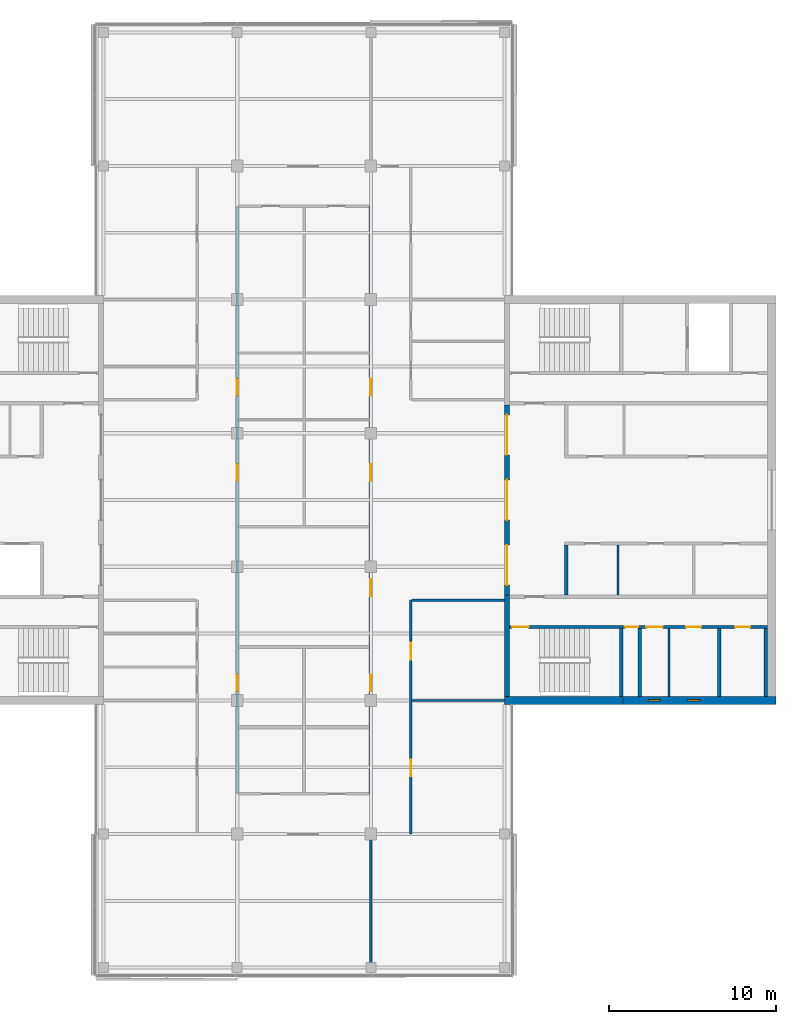
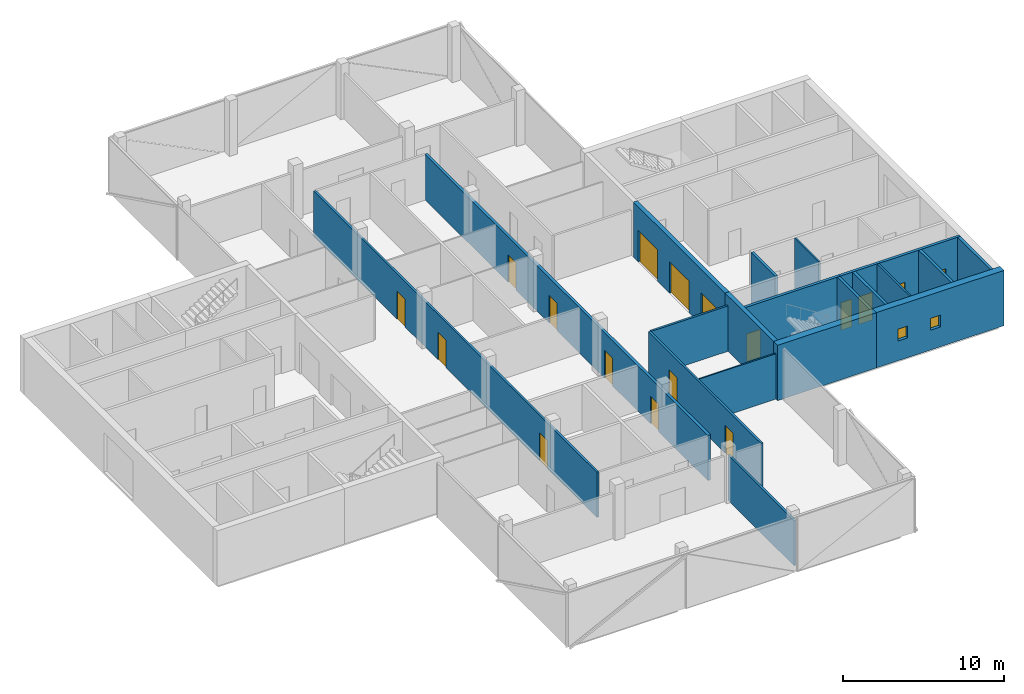
# One storey, part 10 of 16: 19 walls, 17 doors, 2 windows, 19 openings.
"""IFC4 building model written with IfcOpenShell, lengths in metres."""

from ifc_helpers import new_model, si_unit, direction, frame, frame_2d, origin, place, context, subcontext, project, spatial, rectangle, extrude, material, layer, layer_set, constituent, constituent_set, type_object, element, fill, save


model = new_model("IFC4")

# Units and contexts
model_context = context("Model", 3, precision=1e-05, world=origin(), true_north=direction((0.0, 1.0)))
body_context = subcontext(model_context, "Body", "Model", "MODEL_VIEW")
ifc_project = project(units=[si_unit("LENGTHUNIT", "METRE"), si_unit("AREAUNIT", "SQUARE_METRE"), si_unit("VOLUMEUNIT", "CUBIC_METRE"), si_unit("PLANEANGLEUNIT", "RADIAN"), si_unit("MASSUNIT", "GRAM", prefix="KILO")], contexts=[model_context])

# Site, building, storey
site_placement = place(None, origin())
site = spatial("IfcSite", under=ifc_project, at=site_placement, CompositionType="ELEMENT")
building_placement = place(site_placement, origin())
building = spatial("IfcBuilding", under=site, at=building_placement, Name="Crosswind Convention Tower", CompositionType="ELEMENT")
storey_placement = place(building_placement, frame((0.0, 0.0, 274.5)))
storey = spatial("IfcBuildingStorey", under=building, at=storey_placement, Name="L59", CompositionType="ELEMENT", Elevation=274.5)

# Wall
ifc_material_1 = material(Name="Concrete blockwork", Category="masonry")
ifc_layer_1 = layer(ifc_material_1, 0.199951171875)
ifc_layer_set_1 = layer_set([ifc_layer_1], Name="Blockwork partition wall 200")
wall_type_1 = type_object("IfcWallType", Name="Blockwork partition wall 200", PredefinedType="PARTITIONING", material=ifc_layer_set_1)
wall_1_placement = place(storey_placement, frame((145.10009765625, 88.25, 0.0), z_axis=(0.0, 0.0, 1.0), x_axis=(0.0, 1.0, 0.0)))
element("IfcWall", 1, at=wall_1_placement, inside=storey, type_object=wall_type_1, Name="Wall MRSE E L59", PredefinedType="PARTITIONING", context=body_context, shape_type="SweptSolid", body=[
    extrude(rectangle(XDim=4.050048828125, YDim=0.199951171875, at=frame_2d((2.02490234375, 0.0))), origin(), (0.0, 0.0, 1.0), 4.199951171875),
])

# Wall, openings, doors
ifc_layer_2 = layer(ifc_material_1, 0.199951171875)
ifc_layer_set_2 = layer_set([ifc_layer_2], Name="COMPARTMENT WALL 200 BLOCKWORK")
wall_type_2 = type_object("IfcWallType", Name="COMPARTMENT WALL 200 BLOCKWORK", PredefinedType="SOLIDWALL", material=ifc_layer_set_2)
wall_2_placement = place(storey_placement, frame((129.0, 82.39990234375, 0.0), z_axis=(0.0, 0.0, 1.0), x_axis=(0.0, 1.0, 0.0)))
wall_2 = element("IfcWall", 2, at=wall_2_placement, inside=storey, type_object=wall_type_2, Name="Compartment wall WT42", PredefinedType="SOLIDWALL", context=body_context, shape_type="SweptSolid", body=[
    extrude(rectangle(XDim=35.2001953125, YDim=0.199951171875, at=frame_2d((17.60009765625, 0.0))), origin(), (0.0, 0.0, 1.0), 3.44287109375),
])
opening_1_placement = place(wall_2_placement, frame((6.14990234375, 0.0, 0.0)))
opening_1 = element("IfcOpeningElement", 3, at=opening_1_placement, cuts=wall_2, Name="Opening L59-68", PredefinedType="OPENING", context=body_context, shape_type="SweptSolid", body=[
    extrude(rectangle(XDim=1.0, YDim=2.10009765625, at=frame_2d((0.5, 1.050048828125))), frame((0.0, 0.10986328125, 0.0), z_axis=(0.0, -1.0, 0.0), x_axis=(1.0, 0.0, 0.0)), (0.0, 0.0, 1.0), 0.219970703125),
])
opening_2_placement = place(wall_2_placement, frame((11.85009765625, 0.0, 0.0)))
opening_2 = element("IfcOpeningElement", 4, at=opening_2_placement, cuts=wall_2, Name="Opening L59-69", PredefinedType="OPENING", context=body_context, shape_type="SweptSolid", body=[
    extrude(rectangle(XDim=1.0, YDim=2.10009765625, at=frame_2d((0.5, 1.050048828125))), frame((0.0, 0.10986328125, 0.0), z_axis=(0.0, -1.0, 0.0), x_axis=(1.0, 0.0, 0.0)), (0.0, 0.0, 1.0), 0.219970703125),
])
opening_3_placement = place(wall_2_placement, frame((18.75, 0.0, 0.0)))
opening_3 = element("IfcOpeningElement", 5, at=opening_3_placement, cuts=wall_2, Name="Opening L59-71", PredefinedType="OPENING", context=body_context, shape_type="SweptSolid", body=[
    extrude(rectangle(XDim=1.0, YDim=2.10009765625, at=frame_2d((0.5, 1.050048828125))), frame((0.0, 0.10986328125, 0.0), z_axis=(0.0, -1.0, 0.0), x_axis=(1.0, 0.0, 0.0)), (0.0, 0.0, 1.0), 0.219970703125),
])
opening_4_placement = place(wall_2_placement, frame((23.85009765625, 0.0, 0.0)))
opening_4 = element("IfcOpeningElement", 6, at=opening_4_placement, cuts=wall_2, Name="Opening L59-73", PredefinedType="OPENING", context=body_context, shape_type="SweptSolid", body=[
    extrude(rectangle(XDim=1.0, YDim=2.10009765625, at=frame_2d((0.5, 1.050048828125))), frame((0.0, 0.10986328125, 0.0), z_axis=(0.0, -1.0, 0.0), x_axis=(1.0, 0.0, 0.0)), (0.0, 0.0, 1.0), 0.219970703125),
])
ifc_material_2 = material(Name="Steel fire door", Category="steel")
door_type_1 = type_object("IfcDoorType", Name="PLANT ROOM DOOR 1000X2100 FD60", OperationType="NOTDEFINED", PredefinedType="DOOR", material=ifc_material_2)
door_1_placement = place(opening_1_placement, origin())
door_1 = element("IfcDoor", 7, at=door_1_placement, inside=storey, type_object=door_type_1, Name="Door L59-68", ObjectType="D43", OperationType="SINGLE_SWING_LEFT", OverallHeight=2.10009765625, OverallWidth=1.0, PredefinedType="DOOR", context=body_context, shape_type="SweptSolid", body=[
    extrude(rectangle(XDim=1.0, YDim=2.10009765625, at=frame_2d((0.5, 1.050048828125))), frame((0.0, 0.02490234375, 0.0), z_axis=(0.0, -1.0, 0.0), x_axis=(1.0, 0.0, 0.0)), (0.0, 0.0, 1.0), 0.050048828125),
])
fill(opening_1, door_1)
ifc_material_3 = material(Name="Timber fire door", Category="wood")
door_type_2 = type_object("IfcDoorType", Name="TENANCY ENTRANCE DOOR 1000X2100 FD30S", OperationType="NOTDEFINED", PredefinedType="DOOR", material=ifc_material_3)
door_2_placement = place(opening_2_placement, origin())
door_2 = element("IfcDoor", 8, at=door_2_placement, inside=storey, type_object=door_type_2, Name="Door L59-69", ObjectType="D41", OperationType="SINGLE_SWING_RIGHT", OverallHeight=2.10009765625, OverallWidth=1.0, PredefinedType="DOOR", context=body_context, shape_type="SweptSolid", body=[
    extrude(rectangle(XDim=1.0, YDim=2.10009765625, at=frame_2d((0.5, 1.050048828125))), frame((0.0, 0.02490234375, 0.0), z_axis=(0.0, -1.0, 0.0), x_axis=(1.0, 0.0, 0.0)), (0.0, 0.0, 1.0), 0.050048828125),
])
fill(opening_2, door_2)
door_3_placement = place(opening_3_placement, origin())
door_3 = element("IfcDoor", 9, at=door_3_placement, inside=storey, type_object=door_type_2, Name="Door L59-71", ObjectType="D41", OperationType="SINGLE_SWING_RIGHT", OverallHeight=2.10009765625, OverallWidth=1.0, PredefinedType="DOOR", context=body_context, shape_type="SweptSolid", body=[
    extrude(rectangle(XDim=1.0, YDim=2.10009765625, at=frame_2d((0.5, 1.050048828125))), frame((0.0, 0.02490234375, 0.0), z_axis=(0.0, -1.0, 0.0), x_axis=(1.0, 0.0, 0.0)), (0.0, 0.0, 1.0), 0.050048828125),
])
fill(opening_3, door_3)
door_4_placement = place(opening_4_placement, origin())
door_4 = element("IfcDoor", 10, at=door_4_placement, inside=storey, type_object=door_type_2, Name="Door L59-73", ObjectType="D41", OperationType="SINGLE_SWING_LEFT", OverallHeight=2.10009765625, OverallWidth=1.0, PredefinedType="DOOR", context=body_context, shape_type="SweptSolid", body=[
    extrude(rectangle(XDim=1.0, YDim=2.10009765625, at=frame_2d((0.5, 1.050048828125))), frame((0.0, 0.02490234375, 0.0), z_axis=(0.0, -1.0, 0.0), x_axis=(1.0, 0.0, 0.0)), (0.0, 0.0, 1.0), 0.050048828125),
])
fill(opening_4, door_4)

ifc_material_4 = material(Name="Concrete C50/60", Category="concrete")
ifc_layer_3 = layer(ifc_material_4, 0.300048828125)
ifc_layer_set_3 = layer_set([ifc_layer_3], Name="Concrete C50/60")
wall_type_3 = type_object("IfcWallType", Name="Concrete inner core wall 300", PredefinedType="SHEAR", material=ifc_layer_set_3)
wall_3_placement = place(storey_placement, frame((137.14990234375, 94.300048828125, 0.0), z_axis=(0.0, 0.0, 1.0), x_axis=(0.0, 1.0, 0.0)))
wall_3 = element("IfcWall", 11, at=wall_3_placement, inside=storey, type_object=wall_type_3, Name="Wall SCR E L59", PredefinedType="SHEAR", context=body_context, shape_type="SweptSolid", body=[
    extrude(rectangle(XDim=11.39990234375, YDim=0.300048828125, at=frame_2d((5.699951171875, 0.0))), origin(), (0.0, 0.0, 1.0), 4.199951171875),
])
opening_5_placement = place(wall_3_placement, frame((0.60009765625, 0.0, 0.0)))
opening_5 = element("IfcOpeningElement", 12, at=opening_5_placement, cuts=wall_3, Name="Opening D100", PredefinedType="OPENING", context=body_context, shape_type="SweptSolid", body=[
    extrude(rectangle(XDim=2.39990234375, YDim=2.39990234375, at=frame_2d((1.199951171875, 1.199951171875))), frame((0.0, 0.159912109375, 0.0), z_axis=(0.0, -1.0, 0.0), x_axis=(1.0, 0.0, 0.0)), (0.0, 0.0, 1.0), 0.320068359375),
])
opening_6_placement = place(wall_3_placement, frame((4.5, 0.0, 0.0)))
opening_6 = element("IfcOpeningElement", 13, at=opening_6_placement, cuts=wall_3, Name="Opening D100", PredefinedType="OPENING", context=body_context, shape_type="SweptSolid", body=[
    extrude(rectangle(XDim=2.39990234375, YDim=2.39990234375, at=frame_2d((1.199951171875, 1.199951171875))), frame((0.0, 0.159912109375, 0.0), z_axis=(0.0, -1.0, 0.0), x_axis=(1.0, 0.0, 0.0)), (0.0, 0.0, 1.0), 0.320068359375),
])
opening_7_placement = place(wall_3_placement, frame((8.39990234375, 0.0, 0.0)))
opening_7 = element("IfcOpeningElement", 14, at=opening_7_placement, cuts=wall_3, Name="Opening D100", PredefinedType="OPENING", context=body_context, shape_type="SweptSolid", body=[
    extrude(rectangle(XDim=2.39990234375, YDim=2.39990234375, at=frame_2d((1.199951171875, 1.199951171875))), frame((0.0, 0.159912109375, 0.0), z_axis=(0.0, -1.0, 0.0), x_axis=(1.0, 0.0, 0.0)), (0.0, 0.0, 1.0), 0.320068359375),
])
ifc_material_5 = material(Name="Steel fire door with glazed vision panels", Category="steel")
door_type_3 = type_object("IfcDoorType", Name="Fire-rated double door 2400x2400", OperationType="DOUBLE_DOOR_SINGLE_SWING", PredefinedType="DOOR", material=ifc_material_5)
door_5_placement = place(opening_5_placement, origin())
door_5 = element("IfcDoor", 15, at=door_5_placement, inside=storey, type_object=door_type_3, Name="Lobby door 1 L59", ObjectType="D100", OperationType="DOUBLE_DOOR_SINGLE_SWING", OverallHeight=2.39990234375, OverallWidth=2.39990234375, PredefinedType="DOOR", context=body_context, shape_type="SweptSolid", body=[
    extrude(rectangle(XDim=2.39990234375, YDim=2.39990234375, at=frame_2d((1.199951171875, 1.199951171875))), frame((0.0, 0.02490234375, 0.0), z_axis=(0.0, -1.0, 0.0), x_axis=(1.0, 0.0, 0.0)), (0.0, 0.0, 1.0), 0.050048828125),
])
fill(opening_5, door_5)
door_6_placement = place(opening_6_placement, origin())
door_6 = element("IfcDoor", 16, at=door_6_placement, inside=storey, type_object=door_type_3, Name="Lobby door 2 L59", ObjectType="D100", OperationType="DOUBLE_DOOR_SINGLE_SWING", OverallHeight=2.39990234375, OverallWidth=2.39990234375, PredefinedType="DOOR", context=body_context, shape_type="SweptSolid", body=[
    extrude(rectangle(XDim=2.39990234375, YDim=2.39990234375, at=frame_2d((1.199951171875, 1.199951171875))), frame((0.0, 0.02490234375, 0.0), z_axis=(0.0, -1.0, 0.0), x_axis=(1.0, 0.0, 0.0)), (0.0, 0.0, 1.0), 0.050048828125),
])
fill(opening_6, door_6)
door_7_placement = place(opening_7_placement, origin())
door_7 = element("IfcDoor", 17, at=door_7_placement, inside=storey, type_object=door_type_3, Name="Lobby door 3 L59", ObjectType="D100", OperationType="DOUBLE_DOOR_SINGLE_SWING", OverallHeight=2.39990234375, OverallWidth=2.39990234375, PredefinedType="DOOR", context=body_context, shape_type="SweptSolid", body=[
    extrude(rectangle(XDim=2.39990234375, YDim=2.39990234375, at=frame_2d((1.199951171875, 1.199951171875))), frame((0.0, 0.02490234375, 0.0), z_axis=(0.0, -1.0, 0.0), x_axis=(1.0, 0.0, 0.0)), (0.0, 0.0, 1.0), 0.050048828125),
])
fill(opening_7, door_7)

# Walls
wall_4_placement = place(storey_placement, frame((137.14990234375, 88.25, 0.0), z_axis=(0.0, 0.0, 1.0), x_axis=(0.0, 1.0, 0.0)))
element("IfcWall", 18, at=wall_4_placement, inside=storey, type_object=wall_type_3, Name="Wall EM E L59", PredefinedType="SHEAR", context=body_context, shape_type="SweptSolid", body=[
    extrude(rectangle(XDim=6.050048828125, YDim=0.300048828125, at=frame_2d((3.02490234375, 0.0))), origin(), (0.0, 0.0, 1.0), 4.199951171875),
])
ifc_layer_4 = layer(ifc_material_4, 0.199951171875)
ifc_layer_set_4 = layer_set([ifc_layer_4], Name="Concrete C50/60")
wall_type_4 = type_object("IfcWallType", Name="Concrete shaft and stair wall 200", PredefinedType="SHEAR", material=ifc_layer_set_4)
wall_5_placement = place(storey_placement, frame((140.699951171875, 94.300048828125, 0.0), z_axis=(0.0, 0.0, 1.0), x_axis=(0.0, 1.0, 0.0)))
element("IfcWall", 19, at=wall_5_placement, inside=storey, type_object=wall_type_4, Name="Wall RMEND E L59", PredefinedType="SHEAR", context=body_context, shape_type="SweptSolid", body=[
    extrude(rectangle(XDim=3.0, YDim=0.199951171875, at=frame_2d((1.5, 0.0))), origin(), (0.0, 0.0, 1.0), 4.199951171875),
])
for number, where, z_axis, x_axis, name in (
    (20, (144.0, 88.25, 0.0), (0.0, 0.0, 1.0), (0.0, 1.0, 0.0), "Wall MSE E L59"),
    (21, (149.85009765625, 88.25, 0.0), (0.0, 0.0, 1.0), (0.0, 1.0, 0.0), "Wall MFSW E L59"),
    (22, (152.64990234375, 88.25, 0.0), (0.0, 0.0, 1.0), (0.0, 1.0, 0.0), "Wall MFSE E L59"),
):
    element("IfcWall", number, at=place(storey_placement, frame(where, z_axis=z_axis, x_axis=x_axis)), inside=storey, type_object=wall_type_4, Name=name, PredefinedType="SHEAR", context=body_context, shape_type="SweptSolid", body=[
        extrude(rectangle(XDim=4.050048828125, YDim=0.199951171875, at=frame_2d((2.02490234375, 0.0))), origin(), (0.0, 0.0, 1.0), 4.199951171875),
    ])

# Wall, opening, door
wall_6_placement = place(storey_placement, frame((137.300048828125, 92.39990234375, 0.0), z_axis=(0.0, 0.0, 1.0), x_axis=(1.0, 0.0, 0.0)))
wall_6 = element("IfcWall", 23, at=wall_6_placement, inside=storey, type_object=wall_type_4, Name="Wall MCW E L59", PredefinedType="SHEAR", context=body_context, shape_type="SweptSolid", body=[
    extrude(rectangle(XDim=6.800048828125, YDim=0.199951171875, at=frame_2d((3.39990234375, 0.0))), origin(), (0.0, 0.0, 1.0), 4.199951171875),
])
opening_8_placement = place(wall_6_placement, frame((0.14990234375, 0.0, 0.0)))
opening_8 = element("IfcOpeningElement", 24, at=opening_8_placement, cuts=wall_6, Name="Opening D103", PredefinedType="OPENING", context=body_context, shape_type="SweptSolid", body=[
    extrude(rectangle(XDim=1.0, YDim=2.10009765625, at=frame_2d((0.5, 1.050048828125))), frame((0.0, 0.10986328125, 0.0), z_axis=(0.0, -1.0, 0.0), x_axis=(1.0, 0.0, 0.0)), (0.0, 0.0, 1.0), 0.219970703125),
])
door_type_4 = type_object("IfcDoorType", Name="Fire-rated single door 1000x2100", OperationType="NOTDEFINED", PredefinedType="DOOR", material=ifc_material_2)
door_8_placement = place(opening_8_placement, frame((1.0, 0.0, 0.0), z_axis=(0.0, 0.0, 1.0), x_axis=(-1.0, 0.0, 0.0)))
door_8 = element("IfcDoor", 25, at=door_8_placement, inside=storey, type_object=door_type_4, Name="Stair ST2 door L59", ObjectType="D103", OperationType="SINGLE_SWING_RIGHT", OverallHeight=2.10009765625, OverallWidth=1.0, PredefinedType="DOOR", context=body_context, shape_type="SweptSolid", body=[
    extrude(rectangle(XDim=1.0, YDim=2.10009765625, at=frame_2d((0.5, 1.050048828125))), frame((0.0, 0.02490234375, 0.0), z_axis=(0.0, -1.0, 0.0), x_axis=(1.0, 0.0, 0.0)), (0.0, 0.0, 1.0), 0.050048828125),
])
fill(opening_8, door_8)

# Wall, openings, doors
wall_7_placement = place(storey_placement, frame((144.10009765625, 92.39990234375, 0.0), z_axis=(0.0, 0.0, 1.0), x_axis=(1.0, 0.0, 0.0)))
wall_7 = element("IfcWall", 26, at=wall_7_placement, inside=storey, type_object=wall_type_4, Name="Wall MCX E L59", PredefinedType="SHEAR", context=body_context, shape_type="SweptSolid", body=[
    extrude(rectangle(XDim=8.64990234375, YDim=0.199951171875, at=frame_2d((4.324951171875, 0.0))), origin(), (0.0, 0.0, 1.0), 4.199951171875),
])
opening_9_placement = place(wall_7_placement, frame((0.10009765625, 0.0, 0.0)))
opening_9 = element("IfcOpeningElement", 27, at=opening_9_placement, cuts=wall_7, Name="Opening D105", PredefinedType="OPENING", context=body_context, shape_type="SweptSolid", body=[
    extrude(rectangle(XDim=0.800048828125, YDim=2.10009765625, at=frame_2d((0.39990234375, 1.050048828125))), frame((0.0, 0.10986328125, 0.0), z_axis=(0.0, -1.0, 0.0), x_axis=(1.0, 0.0, 0.0)), (0.0, 0.0, 1.0), 0.219970703125),
])
opening_10_placement = place(wall_7_placement, frame((1.3876953125, 0.0, 0.0)))
opening_10 = element("IfcOpeningElement", 28, at=opening_10_placement, cuts=wall_7, Name="Opening D103", PredefinedType="OPENING", context=body_context, shape_type="SweptSolid", body=[
    extrude(rectangle(XDim=1.0, YDim=2.10009765625, at=frame_2d((0.5, 1.050048828125))), frame((0.0, 0.10986328125, 0.0), z_axis=(0.0, -1.0, 0.0), x_axis=(1.0, 0.0, 0.0)), (0.0, 0.0, 1.0), 0.219970703125),
])
opening_11_placement = place(wall_7_placement, frame((3.775146484375, 0.0, 0.0)))
opening_11 = element("IfcOpeningElement", 29, at=opening_11_placement, cuts=wall_7, Name="Opening D106", PredefinedType="OPENING", context=body_context, shape_type="SweptSolid", body=[
    extrude(rectangle(XDim=0.89990234375, YDim=2.10009765625, at=frame_2d((0.449951171875, 1.050048828125))), frame((0.0, 0.10986328125, 0.0), z_axis=(0.0, -1.0, 0.0), x_axis=(1.0, 0.0, 0.0)), (0.0, 0.0, 1.0), 0.219970703125),
])
opening_12_placement = place(wall_7_placement, frame((6.699951171875, 0.0, 0.0)))
opening_12 = element("IfcOpeningElement", 30, at=opening_12_placement, cuts=wall_7, Name="Opening D106", PredefinedType="OPENING", context=body_context, shape_type="SweptSolid", body=[
    extrude(rectangle(XDim=0.89990234375, YDim=2.10009765625, at=frame_2d((0.449951171875, 1.050048828125))), frame((0.0, 0.10986328125, 0.0), z_axis=(0.0, -1.0, 0.0), x_axis=(1.0, 0.0, 0.0)), (0.0, 0.0, 1.0), 0.219970703125),
])
door_9_placement = place(opening_10_placement, frame((1.0, 0.0, 0.0), z_axis=(0.0, 0.0, 1.0), x_axis=(-1.0, 0.0, 0.0)))
door_9 = element("IfcDoor", 31, at=door_9_placement, inside=storey, type_object=door_type_4, Name="Door to accessible wc L59", ObjectType="D103", OperationType="SINGLE_SWING_LEFT", OverallHeight=2.10009765625, OverallWidth=1.0, PredefinedType="DOOR", context=body_context, shape_type="SweptSolid", body=[
    extrude(rectangle(XDim=1.0, YDim=2.10009765625, at=frame_2d((0.5, 1.050048828125))), frame((0.0, 0.02490234375, 0.0), z_axis=(0.0, -1.0, 0.0), x_axis=(1.0, 0.0, 0.0)), (0.0, 0.0, 1.0), 0.050048828125),
])
fill(opening_10, door_9)
door_type_5 = type_object("IfcDoorType", Name="Riser access door 800x2100", OperationType="NOTDEFINED", PredefinedType="DOOR", material=ifc_material_2)
door_10_placement = place(opening_9_placement, frame((0.800048828125, 0.0, 0.0), z_axis=(0.0, 0.0, 1.0), x_axis=(-1.0, 0.0, 0.0)))
door_10 = element("IfcDoor", 32, at=door_10_placement, inside=storey, type_object=door_type_5, Name="Riser door L59", ObjectType="D105", OperationType="SINGLE_SWING_LEFT", OverallHeight=2.10009765625, OverallWidth=0.800048828125, PredefinedType="DOOR", context=body_context, shape_type="SweptSolid", body=[
    extrude(rectangle(XDim=0.800048828125, YDim=2.10009765625, at=frame_2d((0.39990234375, 1.050048828125))), frame((0.0, 0.02490234375, 0.0), z_axis=(0.0, -1.0, 0.0), x_axis=(1.0, 0.0, 0.0)), (0.0, 0.0, 1.0), 0.050048828125),
])
fill(opening_9, door_10)
ifc_material_6 = material(Name="Timber door", Category="wood")
door_type_6 = type_object("IfcDoorType", Name="Single leaf door 900x2100", OperationType="NOTDEFINED", PredefinedType="DOOR", material=ifc_material_6)
door_11_placement = place(opening_11_placement, frame((0.89990234375, 0.0, 0.0), z_axis=(0.0, 0.0, 1.0), x_axis=(-1.0, 0.0, 0.0)))
door_11 = element("IfcDoor", 33, at=door_11_placement, inside=storey, type_object=door_type_6, Name="Door to wc L59", ObjectType="D106", OperationType="SINGLE_SWING_LEFT", OverallHeight=2.10009765625, OverallWidth=0.89990234375, PredefinedType="DOOR", context=body_context, shape_type="SweptSolid", body=[
    extrude(rectangle(XDim=0.89990234375, YDim=2.10009765625, at=frame_2d((0.449951171875, 1.050048828125))), frame((0.0, 0.02490234375, 0.0), z_axis=(0.0, -1.0, 0.0), x_axis=(1.0, 0.0, 0.0)), (0.0, 0.0, 1.0), 0.050048828125),
])
fill(opening_11, door_11)
door_12_placement = place(opening_12_placement, frame((0.89990234375, 0.0, 0.0), z_axis=(0.0, 0.0, 1.0), x_axis=(-1.0, 0.0, 0.0)))
door_12 = element("IfcDoor", 34, at=door_12_placement, inside=storey, type_object=door_type_6, Name="Door to wc L59", ObjectType="D106", OperationType="SINGLE_SWING_LEFT", OverallHeight=2.10009765625, OverallWidth=0.89990234375, PredefinedType="DOOR", context=body_context, shape_type="SweptSolid", body=[
    extrude(rectangle(XDim=0.89990234375, YDim=2.10009765625, at=frame_2d((0.449951171875, 1.050048828125))), frame((0.0, 0.02490234375, 0.0), z_axis=(0.0, -1.0, 0.0), x_axis=(1.0, 0.0, 0.0)), (0.0, 0.0, 1.0), 0.050048828125),
])
fill(opening_12, door_12)

# Walls
ifc_material_7 = material(Name="Gypsum plasterboard partition", Category="gypsum")
ifc_layer_5 = layer(ifc_material_7, 0.125)
ifc_layer_set_5 = layer_set([ifc_layer_5], Name="Drywall partition wall 125")
wall_type_5 = type_object("IfcWallType", Name="Drywall partition wall 125", PredefinedType="PARTITIONING", material=ifc_layer_set_5)
wall_8_placement = place(storey_placement, frame((143.78759765625, 94.300048828125, 0.0), z_axis=(0.0, 0.0, 1.0), x_axis=(0.0, 1.0, 0.0)))
element("IfcWall", 35, at=wall_8_placement, inside=storey, type_object=wall_type_5, Name="Wall RMP1 E L59", PredefinedType="PARTITIONING", context=body_context, shape_type="SweptSolid", body=[
    extrude(rectangle(XDim=3.0, YDim=0.125, at=frame_2d((1.5, 0.0))), origin(), (0.0, 0.0, 1.0), 4.199951171875),
])
wall_9_placement = place(storey_placement, frame((146.837890625, 88.25, 0.0), z_axis=(0.0, 0.0, 1.0), x_axis=(0.0, 1.0, 0.0)))
element("IfcWall", 36, at=wall_9_placement, inside=storey, type_object=wall_type_5, Name="Wall MWP1 E L59", PredefinedType="PARTITIONING", context=body_context, shape_type="SweptSolid", body=[
    extrude(rectangle(XDim=4.050048828125, YDim=0.125, at=frame_2d((2.02490234375, 0.0))), origin(), (0.0, 0.0, 1.0), 4.199951171875),
])
ifc_material_8 = material(Name="Plasterboard partition", Category="gypsum")
ifc_layer_6 = layer(ifc_material_8, 0.10009765625)
ifc_layer_set_6 = layer_set([ifc_layer_6], Name="PARTITION 100 METAL STUD")
wall_type_6 = type_object("IfcWallType", Name="PARTITION 100 METAL STUD", PredefinedType="PARTITIONING", material=ifc_layer_set_6)
wall_10_placement = place(storey_placement, frame((131.47509765625, 88.0, 0.0), z_axis=(0.0, 0.0, 1.0), x_axis=(1.0, 0.0, 0.0)))
element("IfcWall", 37, at=wall_10_placement, inside=storey, type_object=wall_type_6, Name="Partition wall WT40", PredefinedType="PARTITIONING", context=body_context, shape_type="SweptSolid", body=[
    extrude(rectangle(XDim=5.52490234375, YDim=0.10009765625, at=frame_2d((2.762451171875, 0.0))), origin(), (0.0, 0.0, 1.0), 3.44287109375),
])

# Wall, openings, doors
ifc_material_9 = material(Name="Fire-board partition with mineral wool", Category="gypsum")
ifc_layer_7 = layer(ifc_material_9, 0.14990234375)
ifc_layer_set_7 = layer_set([ifc_layer_7], Name="TENANCY WALL 150 TWO-HOUR BOARD")
wall_type_7 = type_object("IfcWallType", Name="TENANCY WALL 150 TWO-HOUR BOARD", PredefinedType="PARTITIONING", material=ifc_layer_set_7)
wall_11_placement = place(storey_placement, frame((121.0, 82.39990234375, 0.0), z_axis=(0.0, 0.0, 1.0), x_axis=(0.0, 1.0, 0.0)))
wall_11 = element("IfcWall", 38, at=wall_11_placement, inside=storey, type_object=wall_type_7, Name="Tenancy wall WT41", PredefinedType="PARTITIONING", context=body_context, shape_type="SweptSolid", body=[
    extrude(rectangle(XDim=35.2001953125, YDim=0.14990234375, at=frame_2d((17.60009765625, 0.0))), origin(), (0.0, 0.0, 1.0), 3.44287109375),
])
opening_13_placement = place(wall_11_placement, frame((6.14990234375, 0.0, 0.0)))
opening_13 = element("IfcOpeningElement", 39, at=opening_13_placement, cuts=wall_11, Name="Opening L59-67", PredefinedType="OPENING", context=body_context, shape_type="SweptSolid", body=[
    extrude(rectangle(XDim=1.0, YDim=2.10009765625, at=frame_2d((0.5, 1.050048828125))), frame((0.0, 0.0849609375, 0.0), z_axis=(0.0, -1.0, 0.0), x_axis=(1.0, 0.0, 0.0)), (0.0, 0.0, 1.0), 0.169921875),
])
opening_14_placement = place(wall_11_placement, frame((18.75, 0.0, 0.0)))
opening_14 = element("IfcOpeningElement", 40, at=opening_14_placement, cuts=wall_11, Name="Opening L59-70", PredefinedType="OPENING", context=body_context, shape_type="SweptSolid", body=[
    extrude(rectangle(XDim=1.0, YDim=2.10009765625, at=frame_2d((0.5, 1.050048828125))), frame((0.0, 0.0849609375, 0.0), z_axis=(0.0, -1.0, 0.0), x_axis=(1.0, 0.0, 0.0)), (0.0, 0.0, 1.0), 0.169921875),
])
opening_15_placement = place(wall_11_placement, frame((23.85009765625, 0.0, 0.0)))
opening_15 = element("IfcOpeningElement", 41, at=opening_15_placement, cuts=wall_11, Name="Opening L59-72", PredefinedType="OPENING", context=body_context, shape_type="SweptSolid", body=[
    extrude(rectangle(XDim=1.0, YDim=2.10009765625, at=frame_2d((0.5, 1.050048828125))), frame((0.0, 0.0849609375, 0.0), z_axis=(0.0, -1.0, 0.0), x_axis=(1.0, 0.0, 0.0)), (0.0, 0.0, 1.0), 0.169921875),
])
door_13_placement = place(opening_13_placement, frame((1.0, 0.0, 0.0), z_axis=(0.0, 0.0, 1.0), x_axis=(-1.0, 0.0, 0.0)))
door_13 = element("IfcDoor", 42, at=door_13_placement, inside=storey, type_object=door_type_2, Name="Door L59-67", ObjectType="D41", OperationType="SINGLE_SWING_RIGHT", OverallHeight=2.10009765625, OverallWidth=1.0, PredefinedType="DOOR", context=body_context, shape_type="SweptSolid", body=[
    extrude(rectangle(XDim=1.0, YDim=2.10009765625, at=frame_2d((0.5, 1.050048828125))), frame((0.0, 0.02490234375, 0.0), z_axis=(0.0, -1.0, 0.0), x_axis=(1.0, 0.0, 0.0)), (0.0, 0.0, 1.0), 0.050048828125),
])
fill(opening_13, door_13)
door_14_placement = place(opening_14_placement, frame((1.0, 0.0, 0.0), z_axis=(0.0, 0.0, 1.0), x_axis=(-1.0, 0.0, 0.0)))
door_14 = element("IfcDoor", 43, at=door_14_placement, inside=storey, type_object=door_type_2, Name="Door L59-70", ObjectType="D41", OperationType="SINGLE_SWING_LEFT", OverallHeight=2.10009765625, OverallWidth=1.0, PredefinedType="DOOR", context=body_context, shape_type="SweptSolid", body=[
    extrude(rectangle(XDim=1.0, YDim=2.10009765625, at=frame_2d((0.5, 1.050048828125))), frame((0.0, 0.02490234375, 0.0), z_axis=(0.0, -1.0, 0.0), x_axis=(1.0, 0.0, 0.0)), (0.0, 0.0, 1.0), 0.050048828125),
])
fill(opening_14, door_14)
door_15_placement = place(opening_15_placement, frame((1.0, 0.0, 0.0), z_axis=(0.0, 0.0, 1.0), x_axis=(-1.0, 0.0, 0.0)))
door_15 = element("IfcDoor", 44, at=door_15_placement, inside=storey, type_object=door_type_2, Name="Door L59-72", ObjectType="D41", OperationType="SINGLE_SWING_RIGHT", OverallHeight=2.10009765625, OverallWidth=1.0, PredefinedType="DOOR", context=body_context, shape_type="SweptSolid", body=[
    extrude(rectangle(XDim=1.0, YDim=2.10009765625, at=frame_2d((0.5, 1.050048828125))), frame((0.0, 0.02490234375, 0.0), z_axis=(0.0, -1.0, 0.0), x_axis=(1.0, 0.0, 0.0)), (0.0, 0.0, 1.0), 0.050048828125),
])
fill(opening_15, door_15)

# Wall
wall_12_placement = place(storey_placement, frame((129.0, 71.72998046875, 0.0), z_axis=(0.0, 0.0, 1.0), x_axis=(0.0, 1.0, 0.0)))
element("IfcWall", 45, at=wall_12_placement, inside=storey, type_object=wall_type_7, Name="Tenancy wall WT41", PredefinedType="PARTITIONING", context=body_context, shape_type="SweptSolid", body=[
    extrude(rectangle(XDim=8.195068359375, YDim=0.14990234375, at=frame_2d((4.09765625, 0.0))), origin(), (0.0, 0.0, 1.0), 3.44287109375),
])

# Wall, openings, doors
wall_13_placement = place(storey_placement, frame((131.39990234375, 80.0, 0.0), z_axis=(0.0, 0.0, 1.0), x_axis=(0.0, 1.0, 0.0)))
wall_13 = element("IfcWall", 46, at=wall_13_placement, inside=storey, type_object=wall_type_7, Name="Tenancy wall WT41", PredefinedType="PARTITIONING", context=body_context, shape_type="SweptSolid", body=[
    extrude(rectangle(XDim=14.0, YDim=0.14990234375, at=frame_2d((7.0, 0.0))), origin(), (0.0, 0.0, 1.0), 3.44287109375),
])
opening_16_placement = place(wall_13_placement, frame((10.449951171875, 0.0, 0.0)))
opening_16 = element("IfcOpeningElement", 47, at=opening_16_placement, cuts=wall_13, Name="Opening L59-53", PredefinedType="OPENING", context=body_context, shape_type="SweptSolid", body=[
    extrude(rectangle(XDim=1.0, YDim=2.10009765625, at=frame_2d((0.5, 1.050048828125))), frame((0.0, 0.0849609375, 0.0), z_axis=(0.0, -1.0, 0.0), x_axis=(1.0, 0.0, 0.0)), (0.0, 0.0, 1.0), 0.169921875),
])
opening_17_placement = place(wall_13_placement, frame((3.449951171875, 0.0, 0.0)))
opening_17 = element("IfcOpeningElement", 48, at=opening_17_placement, cuts=wall_13, Name="Opening L59-54", PredefinedType="OPENING", context=body_context, shape_type="SweptSolid", body=[
    extrude(rectangle(XDim=1.0, YDim=2.10009765625, at=frame_2d((0.5, 1.050048828125))), frame((0.0, 0.0849609375, 0.0), z_axis=(0.0, -1.0, 0.0), x_axis=(1.0, 0.0, 0.0)), (0.0, 0.0, 1.0), 0.169921875),
])
door_16_placement = place(opening_16_placement, frame((1.0, 0.0, 0.0), z_axis=(0.0, 0.0, 1.0), x_axis=(-1.0, 0.0, 0.0)))
door_16 = element("IfcDoor", 49, at=door_16_placement, inside=storey, type_object=door_type_2, Name="Door L59-53", ObjectType="D41", OperationType="SINGLE_SWING_RIGHT", OverallHeight=2.10009765625, OverallWidth=1.0, PredefinedType="DOOR", context=body_context, shape_type="SweptSolid", body=[
    extrude(rectangle(XDim=1.0, YDim=2.10009765625, at=frame_2d((0.5, 1.050048828125))), frame((0.0, 0.02490234375, 0.0), z_axis=(0.0, -1.0, 0.0), x_axis=(1.0, 0.0, 0.0)), (0.0, 0.0, 1.0), 0.050048828125),
])
fill(opening_16, door_16)
door_17_placement = place(opening_17_placement, frame((1.0, 0.0, 0.0), z_axis=(0.0, 0.0, 1.0), x_axis=(-1.0, 0.0, 0.0)))
door_17 = element("IfcDoor", 50, at=door_17_placement, inside=storey, type_object=door_type_2, Name="Door L59-54", ObjectType="D41", OperationType="SINGLE_SWING_LEFT", OverallHeight=2.10009765625, OverallWidth=1.0, PredefinedType="DOOR", context=body_context, shape_type="SweptSolid", body=[
    extrude(rectangle(XDim=1.0, YDim=2.10009765625, at=frame_2d((0.5, 1.050048828125))), frame((0.0, 0.02490234375, 0.0), z_axis=(0.0, -1.0, 0.0), x_axis=(1.0, 0.0, 0.0)), (0.0, 0.0, 1.0), 0.050048828125),
])
fill(opening_17, door_17)

# Walls
wall_14_placement = place(storey_placement, frame((131.47509765625, 94.0, 0.0), z_axis=(0.0, 0.0, 1.0), x_axis=(1.0, 0.0, 0.0)))
element("IfcWall", 51, at=wall_14_placement, inside=storey, type_object=wall_type_7, Name="Tenancy wall WT41", PredefinedType="PARTITIONING", context=body_context, shape_type="SweptSolid", body=[
    extrude(rectangle(XDim=5.52490234375, YDim=0.14990234375, at=frame_2d((2.762451171875, 0.0))), origin(), (0.0, 0.0, 1.0), 3.44287109375),
])
ifc_material_10 = material(Name="Concrete C60/75", Category="concrete")
ifc_constituent_1 = constituent(ifc_material_10, Name="Structure")
ifc_material_11 = material(Name="Terracotta rainscreen", Category="ceramic")
ifc_constituent_2 = constituent(ifc_material_11, Name="Facing")
ifc_constituent_set = constituent_set(constituents=[ifc_constituent_1, ifc_constituent_2], Name="Concrete C60/75, Terracotta rainscreen")
wall_type_8 = type_object("IfcWallType", Name="Terracotta rainscreen on concrete core wall 500", PredefinedType="SHEAR", material=ifc_constituent_set)
wall_15_placement = place(storey_placement, frame((137.0, 88.0, 0.0), z_axis=(0.0, 0.0, 1.0), x_axis=(1.0, 0.0, 0.0)))
element("IfcWall", 52, at=wall_15_placement, inside=storey, type_object=wall_type_8, Name="Wall S1 E L59", PredefinedType="SHEAR", context=body_context, shape_type="SweptSolid", body=[
    extrude(rectangle(XDim=7.10009765625, YDim=0.5, at=frame_2d((3.550048828125, 0.0))), origin(), (0.0, 0.0, 1.0), 4.199951171875),
])

# Wall, openings, windows
wall_16_placement = place(storey_placement, frame((144.10009765625, 88.0, 0.0), z_axis=(0.0, 0.0, 1.0), x_axis=(1.0, 0.0, 0.0)))
wall_16 = element("IfcWall", 53, at=wall_16_placement, inside=storey, type_object=wall_type_8, Name="Wall S2 E L59", PredefinedType="SHEAR", context=body_context, shape_type="SweptSolid", body=[
    extrude(rectangle(XDim=9.14990234375, YDim=0.5, at=frame_2d((4.574951171875, 0.0))), origin(), (0.0, 0.0, 1.0), 4.199951171875),
])
opening_18_placement = place(wall_16_placement, frame((1.537841796875, 0.0, 1.5)))
opening_18 = element("IfcOpeningElement", 54, at=opening_18_placement, cuts=wall_16, Name="Opening W2", PredefinedType="OPENING", context=body_context, shape_type="SweptSolid", body=[
    extrude(rectangle(XDim=0.699951171875, YDim=0.89990234375, at=frame_2d((0.35009765625, 0.449951171875))), frame((0.0, 0.260009765625, 0.0), z_axis=(0.0, -1.0, 0.0), x_axis=(1.0, 0.0, 0.0)), (0.0, 0.0, 1.0), 0.52001953125),
])
opening_19_placement = place(wall_16_placement, frame((3.875244140625, 0.0, 1.5)))
opening_19 = element("IfcOpeningElement", 55, at=opening_19_placement, cuts=wall_16, Name="Opening W2", PredefinedType="OPENING", context=body_context, shape_type="SweptSolid", body=[
    extrude(rectangle(XDim=0.699951171875, YDim=0.89990234375, at=frame_2d((0.35009765625, 0.449951171875))), frame((0.0, 0.260009765625, 0.0), z_axis=(0.0, -1.0, 0.0), x_axis=(1.0, 0.0, 0.0)), (0.0, 0.0, 1.0), 0.52001953125),
])
ifc_material_12 = material(Name="Obscure glass in aluminium frame", Category="aluminium")
window_type = type_object("IfcWindowType", Name="WC window 700x900", PartitioningType="SINGLE_PANEL", PredefinedType="WINDOW", material=ifc_material_12)
window_1_placement = place(opening_18_placement, origin())
window_1 = element("IfcWindow", 56, at=window_1_placement, inside=storey, type_object=window_type, Name="WC window L59", ObjectType="W2", OverallHeight=0.89990234375, OverallWidth=0.699951171875, PartitioningType="SINGLE_PANEL", PredefinedType="WINDOW", context=body_context, shape_type="SweptSolid", body=[
    extrude(rectangle(XDim=0.699951171875, YDim=0.89990234375, at=frame_2d((0.35009765625, 0.449951171875))), frame((0.0, 0.030029296875, 0.0), z_axis=(0.0, -1.0, 0.0), x_axis=(1.0, 0.0, 0.0)), (0.0, 0.0, 1.0), 0.06005859375),
])
fill(opening_18, window_1)
window_2_placement = place(opening_19_placement, origin())
window_2 = element("IfcWindow", 57, at=window_2_placement, inside=storey, type_object=window_type, Name="WC window L59", ObjectType="W2", OverallHeight=0.89990234375, OverallWidth=0.699951171875, PartitioningType="SINGLE_PANEL", PredefinedType="WINDOW", context=body_context, shape_type="SweptSolid", body=[
    extrude(rectangle(XDim=0.699951171875, YDim=0.89990234375, at=frame_2d((0.35009765625, 0.449951171875))), frame((0.0, 0.030029296875, 0.0), z_axis=(0.0, -1.0, 0.0), x_axis=(1.0, 0.0, 0.0)), (0.0, 0.0, 1.0), 0.06005859375),
])
fill(opening_19, window_2)

save(model, "model.ifc")
